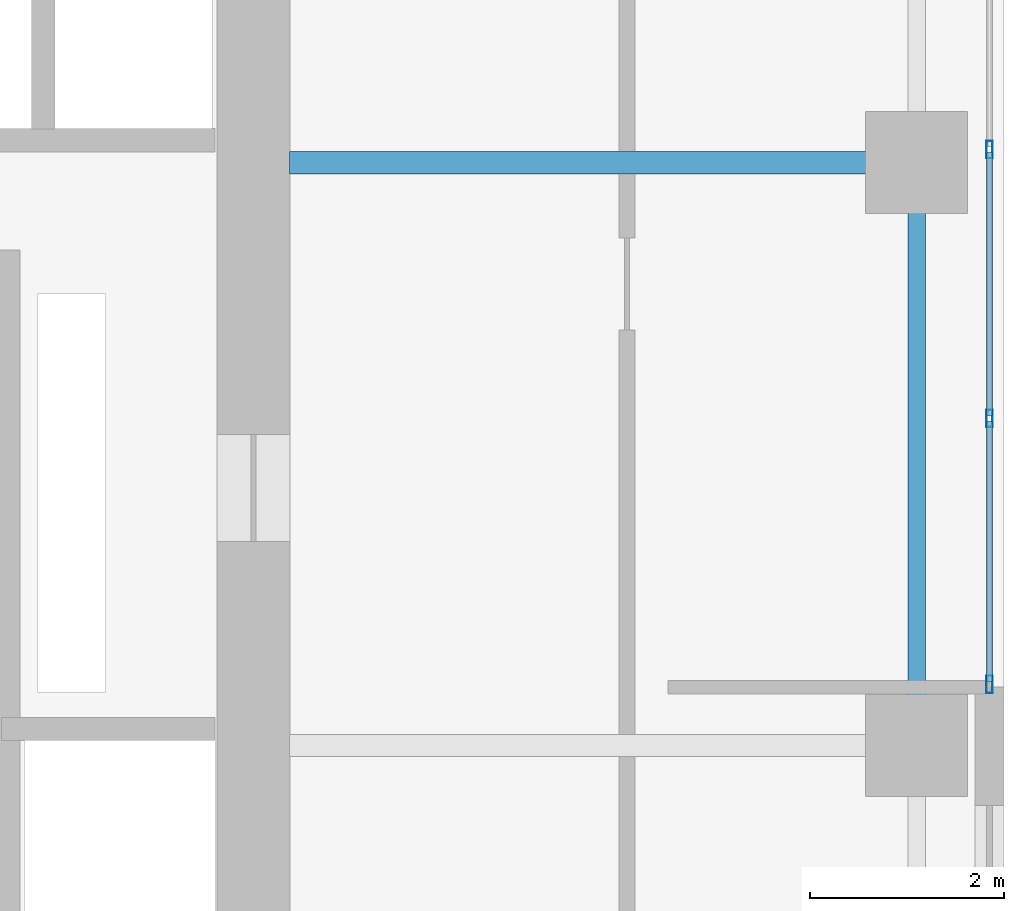
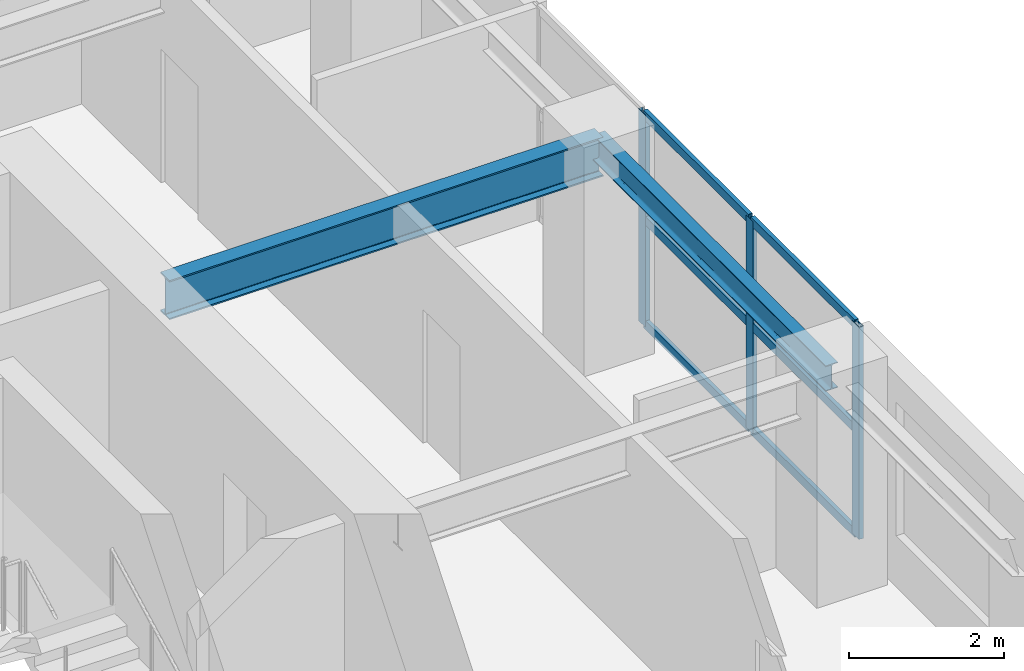
# One storey, part 7 of 20: 9 members, 2 beams, 1 element without a shape of its own.
"""IFC4 building model written with IfcOpenShell, lengths in metres."""

from ifc_helpers import new_model, si_unit, direction, frame, origin, origin_2d, place, context, subcontext, project, spatial, hollow_rectangle, i_section, extrude, source, transform, mapped, material, layer, layer_set, material_profile, profile_set, type_object, element, aggregate, save


model = new_model("IFC4")

# Units and contexts
model_context = context("Model", 3, precision=1e-05, world=origin(), true_north=direction((0.0, 1.0)))
body_context = subcontext(model_context, "Body", "Model", "MODEL_VIEW")
ifc_project = project(units=[si_unit("LENGTHUNIT", "METRE"), si_unit("AREAUNIT", "SQUARE_METRE"), si_unit("VOLUMEUNIT", "CUBIC_METRE"), si_unit("PLANEANGLEUNIT", "RADIAN"), si_unit("MASSUNIT", "GRAM", prefix="KILO")], contexts=[model_context])

# Site, building, storey
site_placement = place(None, origin())
site = spatial("IfcSite", under=ifc_project, at=site_placement, CompositionType="ELEMENT")
building_placement = place(site_placement, origin())
building = spatial("IfcBuilding", under=site, at=building_placement, Name="Khoralis Quay Care Tower", CompositionType="ELEMENT")
storey_placement = place(building_placement, frame((0.0, 0.0, 116.10009765625)))
storey = spatial("IfcBuildingStorey", under=building, at=storey_placement, Name="L30", CompositionType="ELEMENT", Elevation=116.10009765625)

# Beams
ifc_material_1 = material(Name="Steel S355", Category="steel")
ifc_material_profile_1 = material_profile(ifc_material_1, i_section(OverallWidth=0.179931640625, OverallDepth=0.39990234375, WebThickness=0.008544921875, FlangeThickness=0.013427734375, FilletRadius=0.02099609375, at=origin_2d()), Name="Steel S355")
ifc_profile_set_1 = profile_set([ifc_material_profile_1], Name="Steel S355")
beam_type_1 = type_object("IfcBeamType", Name="BM-IPE400", PredefinedType="SPANDREL", material=ifc_profile_set_1)
shared_shape_1 = source(origin(), body_context, "Body", "SweptSolid", [
    extrude(i_section(OverallWidth=0.179931640625, OverallDepth=0.39990234375, WebThickness=0.008544921875, FlangeThickness=0.013427734375, FilletRadius=0.02099609375, at=origin_2d()), origin(), (0.0, 0.0, 1.0), 6.0),
])
beam_1_placement = place(storey_placement, frame((44.10009765625, 18.0, 3.139892578125), z_axis=(0.0, 1.0, 0.0), x_axis=(-1.0, 0.0, 0.0)))
element("IfcBeam", 1, at=beam_1_placement, inside=storey, type_object=beam_type_1, Name="BM-TSP-L30-18", PredefinedType="SPANDREL", context=body_context, shape_type="MappedRepresentation", body=[
    mapped(shared_shape_1, transform((0.0, 0.0, 0.0), scale=1.0)),
])
ifc_material_profile_2 = material_profile(ifc_material_1, i_section(OverallWidth=0.22998046875, OverallDepth=0.616943359375, WebThickness=0.01318359375, FlangeThickness=0.022216796875, FilletRadius=0.01806640625, at=origin_2d()), Name="Steel S355")
ifc_profile_set_2 = profile_set([ifc_material_profile_2], Name="Steel S355")
beam_type_2 = type_object("IfcBeamType", Name="BM-W610X140", PredefinedType="BEAM", material=ifc_profile_set_2)
shared_shape_2 = source(origin(), body_context, "Body", "SweptSolid", [
    extrude(i_section(OverallWidth=0.22998046875, OverallDepth=0.616943359375, WebThickness=0.01318359375, FlangeThickness=0.022216796875, FilletRadius=0.01806640625, at=origin_2d()), origin(), (0.0, 0.0, 1.0), 6.4521484375),
])
beam_2_placement = place(storey_placement, frame((37.64794921875, 24.0, 3.031494140625), z_axis=(1.0, 0.0, 0.0), x_axis=(0.0, 1.0, 0.0)))
element("IfcBeam", 2, at=beam_2_placement, inside=storey, type_object=beam_type_2, Name="BM-TGXE-L30-240", PredefinedType="BEAM", context=body_context, shape_type="MappedRepresentation", body=[
    mapped(shared_shape_2, transform((0.0, 0.0, 0.0), scale=1.0)),
])

# Curtain wall, members
ifc_material_2 = material(Name="Pale anodised aluminium", Category="aluminium")
ifc_layer = layer(ifc_material_2, 0.169921875)
ifc_layer_set = layer_set([ifc_layer], Name="Pale anodised aluminium")
curtain_wall_type = type_object("IfcCurtainWallType", Name="CW-SYS-Z2", PredefinedType="NOTDEFINED", material=ifc_layer_set)
curtain_wall_placement = place(storey_placement, origin())
curtain_wall = element("IfcCurtainWall", 3, at=curtain_wall_placement, inside=storey, type_object=curtain_wall_type, Name="L30 Unitised Curtain Wall CW-L30-P1-E5", PredefinedType="NOTDEFINED")
ifc_material_profile_3 = material_profile(ifc_material_2, hollow_rectangle(XDim=0.06005859375, YDim=0.139892578125, WallThickness=0.00390625, at=origin_2d()), Name="Pale anodised aluminium")
ifc_profile_set_3 = profile_set([ifc_material_profile_3], Name="Pale anodised aluminium")
member_type_1 = type_object("IfcMemberType", Name="CW-TRN-140", PredefinedType="USERDEFINED", material=ifc_profile_set_3)
shared_shape_3 = source(origin(), body_context, "Body", "SweptSolid", [
    extrude(hollow_rectangle(XDim=0.06005859375, YDim=0.139892578125, WallThickness=0.00390625, at=origin_2d()), origin(), (0.0, 0.0, 1.0), 2.6767578125),
])
member_1_placement = place(storey_placement, frame((44.85009765625, 18.659912109375, 0.02978515625), z_axis=(0.0, 1.0, 0.0), x_axis=(-1.0, 0.0, 0.0)))
member_1 = element("IfcMember", 4, at=member_1_placement, type_object=member_type_1, Name="CW2 transom 1.1", ObjectType="TRANSOM", PredefinedType="USERDEFINED", context=body_context, shape_type="MappedRepresentation", body=[
    mapped(shared_shape_3, transform((0.0, 0.0, 0.0), scale=1.0)),
])
member_2_placement = place(storey_placement, frame((44.85009765625, 18.659912109375, 1.669921875), z_axis=(0.0, 1.0, 0.0), x_axis=(-1.0, 0.0, 0.0)))
member_2 = element("IfcMember", 5, at=member_2_placement, type_object=member_type_1, Name="CW2 transom 1.2", ObjectType="TRANSOM", PredefinedType="USERDEFINED", context=body_context, shape_type="MappedRepresentation", body=[
    mapped(shared_shape_3, transform((0.0, 0.0, 0.0), scale=1.0)),
])
member_3_placement = place(storey_placement, frame((44.85009765625, 18.659912109375, 3.309814453125), z_axis=(0.0, 1.0, 0.0), x_axis=(-1.0, 0.0, 0.0)))
member_3 = element("IfcMember", 6, at=member_3_placement, type_object=member_type_1, Name="CW2 transom 1.3", ObjectType="TRANSOM", PredefinedType="USERDEFINED", context=body_context, shape_type="MappedRepresentation", body=[
    mapped(shared_shape_3, transform((0.0, 0.0, 0.0), scale=1.0)),
])
shared_shape_4 = source(origin(), body_context, "Body", "SweptSolid", [
    extrude(hollow_rectangle(XDim=0.06005859375, YDim=0.139892578125, WallThickness=0.00390625, at=origin_2d()), origin(), (0.0, 0.0, 1.0), 2.70654296875),
])
member_4_placement = place(storey_placement, frame((44.85009765625, 21.396728515625, 0.02978515625), z_axis=(0.0, 1.0, 0.0), x_axis=(-1.0, 0.0, 0.0)))
member_4 = element("IfcMember", 7, at=member_4_placement, type_object=member_type_1, Name="CW2 transom 2.1", ObjectType="TRANSOM", PredefinedType="USERDEFINED", context=body_context, shape_type="MappedRepresentation", body=[
    mapped(shared_shape_4, transform((0.0, 0.0, 0.0), scale=1.0)),
])
member_5_placement = place(storey_placement, frame((44.85009765625, 21.396728515625, 1.669921875), z_axis=(0.0, 1.0, 0.0), x_axis=(-1.0, 0.0, 0.0)))
member_5 = element("IfcMember", 8, at=member_5_placement, type_object=member_type_1, Name="CW2 transom 2.2", ObjectType="TRANSOM", PredefinedType="USERDEFINED", context=body_context, shape_type="MappedRepresentation", body=[
    mapped(shared_shape_4, transform((0.0, 0.0, 0.0), scale=1.0)),
])
member_6_placement = place(storey_placement, frame((44.85009765625, 21.396728515625, 3.309814453125), z_axis=(0.0, 1.0, 0.0), x_axis=(-1.0, 0.0, 0.0)))
member_6 = element("IfcMember", 9, at=member_6_placement, type_object=member_type_1, Name="CW2 transom 2.3", ObjectType="TRANSOM", PredefinedType="USERDEFINED", context=body_context, shape_type="MappedRepresentation", body=[
    mapped(shared_shape_4, transform((0.0, 0.0, 0.0), scale=1.0)),
])
ifc_material_profile_4 = material_profile(ifc_material_2, hollow_rectangle(XDim=0.06494140625, YDim=0.179931640625, WallThickness=0.00390625, at=origin_2d()), Name="Pale anodised aluminium")
ifc_profile_set_4 = profile_set([ifc_material_profile_4], Name="Pale anodised aluminium")
member_type_2 = type_object("IfcMemberType", Name="CW-MUL-180", PredefinedType="MULLION", material=ifc_profile_set_4)
shared_shape_5 = source(origin(), body_context, "Body", "SweptSolid", [
    extrude(hollow_rectangle(XDim=0.06494140625, YDim=0.179931640625, WallThickness=0.00390625, at=origin_2d()), origin(), (0.0, 0.0, 1.0), 3.33984375),
])
member_7_placement = place(storey_placement, frame((44.85009765625, 18.6298828125, 0.0), z_axis=(0.0, 0.0, 1.0), x_axis=(-1.0, 0.0, 0.0)))
member_7 = element("IfcMember", 10, at=member_7_placement, type_object=member_type_2, Name="CW2 mullion 1", PredefinedType="MULLION", context=body_context, shape_type="MappedRepresentation", body=[
    mapped(shared_shape_5, transform((0.0, 0.0, 0.0), scale=1.0)),
])
member_8_placement = place(storey_placement, frame((44.85009765625, 21.36669921875, 0.0), z_axis=(0.0, 0.0, 1.0), x_axis=(-1.0, 0.0, 0.0)))
member_8 = element("IfcMember", 11, at=member_8_placement, type_object=member_type_2, Name="CW2 mullion 2", PredefinedType="MULLION", context=body_context, shape_type="MappedRepresentation", body=[
    mapped(shared_shape_5, transform((0.0, 0.0, 0.0), scale=1.0)),
])
member_9_placement = place(storey_placement, frame((44.85009765625, 24.13330078125, 0.0), z_axis=(0.0, 0.0, 1.0), x_axis=(-1.0, 0.0, 0.0)))
member_9 = element("IfcMember", 12, at=member_9_placement, type_object=member_type_2, Name="CW2 mullion 3", PredefinedType="MULLION", context=body_context, shape_type="MappedRepresentation", body=[
    mapped(shared_shape_5, transform((0.0, 0.0, 0.0), scale=1.0)),
])
aggregate(curtain_wall, [member_7, member_8, member_9, member_1, member_2, member_3, member_4, member_5, member_6])

save(model, "model.ifc")
